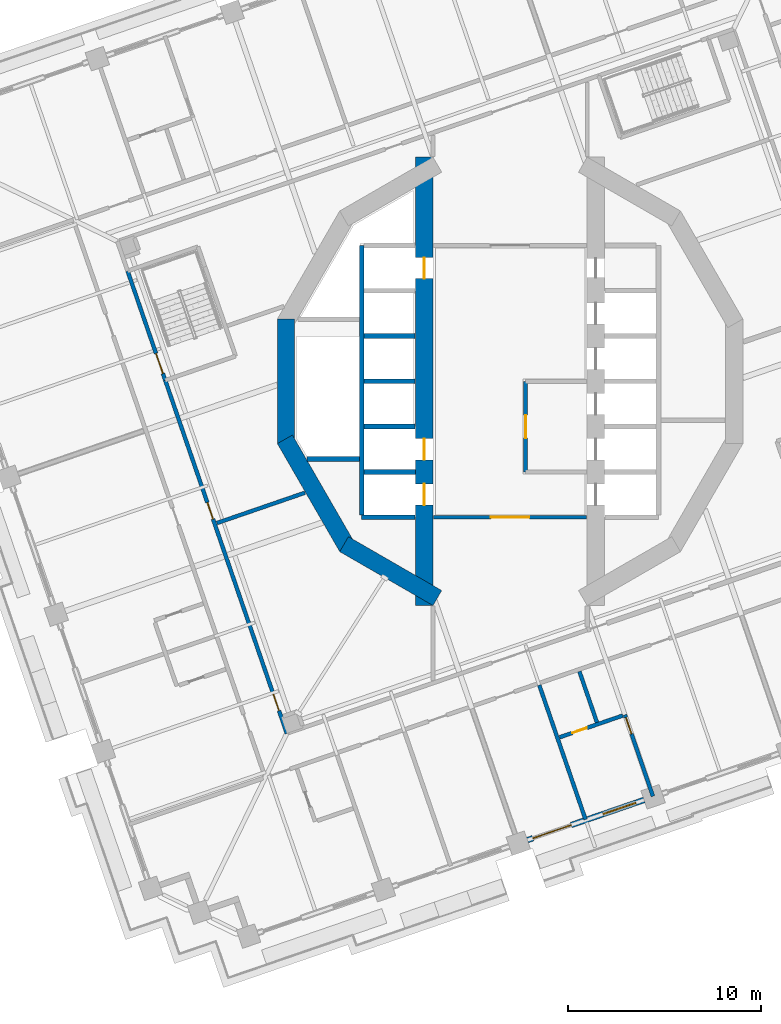
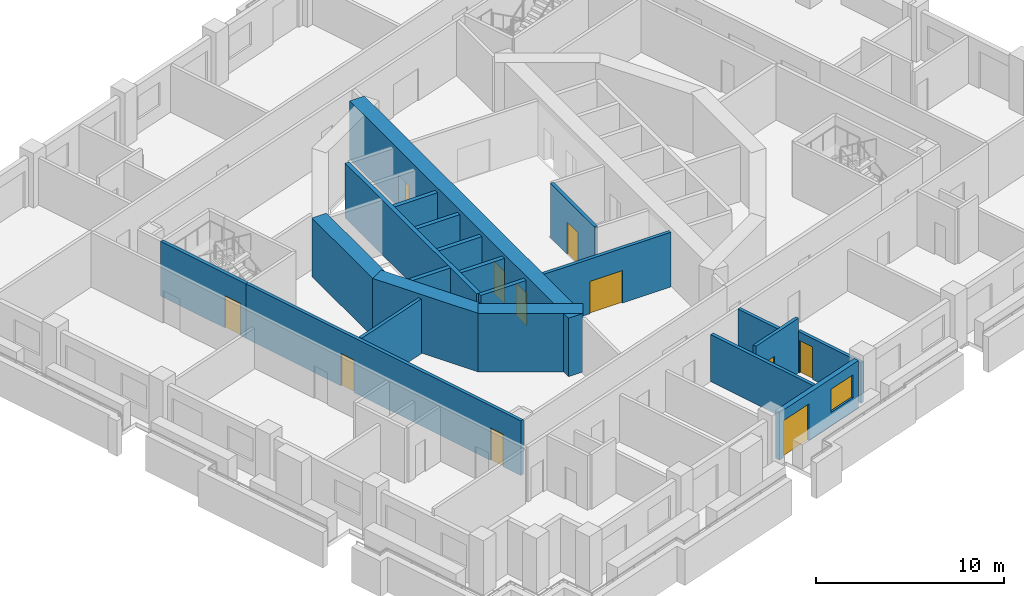
# One storey, part 5 of 19: 21 walls, 11 doors, 1 window, 12 openings.
"""IFC4 building model written with IfcOpenShell, lengths in metres."""

from ifc_helpers import new_model, si_unit, direction, frame, frame_2d, origin, place, context, subcontext, project, spatial, rectangle, extrude, material, layer, layer_set, type_object, element, fill, save


model = new_model("IFC4")

# Units and contexts
model_context = context("Model", 3, precision=1e-05, world=origin(), true_north=direction((0.0, 1.0)))
body_context = subcontext(model_context, "Body", "Model", "MODEL_VIEW")
ifc_project = project(units=[si_unit("LENGTHUNIT", "METRE"), si_unit("AREAUNIT", "SQUARE_METRE"), si_unit("VOLUMEUNIT", "CUBIC_METRE"), si_unit("PLANEANGLEUNIT", "RADIAN"), si_unit("MASSUNIT", "GRAM", prefix="KILO")], contexts=[model_context])

# Site, building, storey
site_placement = place(None, origin())
site = spatial("IfcSite", under=ifc_project, at=site_placement, CompositionType="ELEMENT")
building_placement = place(site_placement, origin())
building = spatial("IfcBuilding", under=site, at=building_placement, Name="Cantera Rosa Tower", CompositionType="ELEMENT")
storey_placement = place(building_placement, frame((0.0, 0.0, 123.10009765625)))
storey = spatial("IfcBuildingStorey", under=building, at=storey_placement, Name="L25", CompositionType="ELEMENT", Elevation=123.10009765625)

# Wall, openings, doors
ifc_material_1 = material(Name="Gypsum board partition")
ifc_layer_1 = layer(ifc_material_1, 0.199951171875)
ifc_layer_set_1 = layer_set([ifc_layer_1], Name="CORRIDOR WALL 200 H3550")
wall_type_1 = type_object("IfcWallType", Name="CORRIDOR WALL 200 H3550", PredefinedType="PARTITIONING", material=ifc_layer_set_1)
wall_1_placement = place(storey_placement, frame((-17.8916015625, 0.05126953125, 0.0), z_axis=(0.0, 0.0, 1.0), x_axis=(0.325580537834, -0.94551431157, 0.0)))
wall_1 = element("IfcWall", 1, at=wall_1_placement, inside=storey, type_object=wall_type_1, Name="CORRIDOR WALL L25-013", PredefinedType="PARTITIONING", context=body_context, shape_type="SweptSolid", body=[
    extrude(rectangle(XDim=19.37353515625, YDim=0.199951171875, at=frame_2d((9.686767578125, 0.0))), origin(), (0.0, 0.0, 1.0), 3.5498046875),
])
opening_1_placement = place(wall_1_placement, frame((6.7109375, 0.0, 0.0)))
opening_1 = element("IfcOpeningElement", 2, at=opening_1_placement, cuts=wall_1, Name="Opening L25-006", PredefinedType="OPENING", context=body_context, shape_type="SweptSolid", body=[
    extrude(rectangle(XDim=0.89990234375, YDim=2.10009765625, at=frame_2d((0.449951171875, 1.050048828125))), frame((0.0, 0.10986328125, 0.0), z_axis=(0.0, -1.0, 0.0), x_axis=(1.0, 0.0, 0.0)), (0.0, 0.0, 1.0), 0.219970703125),
])
opening_2_placement = place(wall_1_placement, frame((17.228515625, 0.0, 0.0)))
opening_2 = element("IfcOpeningElement", 3, at=opening_2_placement, cuts=wall_1, Name="Opening L25-007", PredefinedType="OPENING", context=body_context, shape_type="SweptSolid", body=[
    extrude(rectangle(XDim=0.89990234375, YDim=2.10009765625, at=frame_2d((0.449951171875, 1.050048828125))), frame((0.0, 0.10986328125, 0.0), z_axis=(0.0, -1.0, 0.0), x_axis=(1.0, 0.0, 0.0)), (0.0, 0.0, 1.0), 0.219970703125),
])
ifc_material_2 = material(Name="Timber door leaf", Category="wood")
door_type_1 = type_object("IfcDoorType", Name="SERVICE DOOR 900x2100", OperationType="NOTDEFINED", PredefinedType="DOOR", material=ifc_material_2)
door_1_placement = place(opening_1_placement, origin())
door_1 = element("IfcDoor", 4, at=door_1_placement, inside=storey, type_object=door_type_1, Name="DOOR L25-006", OperationType="NOTDEFINED", OverallHeight=2.10009765625, OverallWidth=0.89990234375, PredefinedType="DOOR", context=body_context, shape_type="SweptSolid", body=[
    extrude(rectangle(XDim=0.89990234375, YDim=2.10009765625, at=frame_2d((0.449951171875, 1.050048828125))), frame((0.0, 0.02490234375, 0.0), z_axis=(0.0, -1.0, 0.0), x_axis=(1.0, 0.0, 0.0)), (0.0, 0.0, 1.0), 0.050048828125),
])
fill(opening_1, door_1)
door_2_placement = place(opening_2_placement, origin())
door_2 = element("IfcDoor", 5, at=door_2_placement, inside=storey, type_object=door_type_1, Name="DOOR L25-007", OperationType="NOTDEFINED", OverallHeight=2.10009765625, OverallWidth=0.89990234375, PredefinedType="DOOR", context=body_context, shape_type="SweptSolid", body=[
    extrude(rectangle(XDim=0.89990234375, YDim=2.10009765625, at=frame_2d((0.449951171875, 1.050048828125))), frame((0.0, 0.02490234375, 0.0), z_axis=(0.0, -1.0, 0.0), x_axis=(1.0, 0.0, 0.0)), (0.0, 0.0, 1.0), 0.050048828125),
])
fill(opening_2, door_2)

# Wall, opening, door
wall_2_placement = place(storey_placement, frame((3.969970703125, -7.050048828125, 0.0), z_axis=(0.0, 0.0, 1.0), x_axis=(-1.0, 0.0, 0.0)))
wall_2 = element("IfcWall", 6, at=wall_2_placement, inside=storey, type_object=wall_type_1, Name="CORRIDOR WALL L25-052", PredefinedType="PARTITIONING", context=body_context, shape_type="SweptSolid", body=[
    extrude(rectangle(XDim=7.93994140625, YDim=0.199951171875, at=frame_2d((3.969970703125, 0.0))), origin(), (0.0, 0.0, 1.0), 3.5498046875),
])
opening_3_placement = place(wall_2_placement, frame((2.969970703125, 0.0, 0.0)))
opening_3 = element("IfcOpeningElement", 7, at=opening_3_placement, cuts=wall_2, Name="Opening L25-012", PredefinedType="OPENING", context=body_context, shape_type="SweptSolid", body=[
    extrude(rectangle(XDim=2.0, YDim=2.10009765625, at=frame_2d((1.0, 1.050048828125))), frame((0.0, 0.10986328125, 0.0), z_axis=(0.0, -1.0, 0.0), x_axis=(1.0, 0.0, 0.0)), (0.0, 0.0, 1.0), 0.219970703125),
])
ifc_material_3 = material(Name="Steel S355J2 (EN 10025-2)", Category="steel")
door_type_2 = type_object("IfcDoorType", Name="LOBBY SCREEN DOOR 2000x2100", OperationType="NOTDEFINED", PredefinedType="DOOR", material=ifc_material_3)
door_3_placement = place(opening_3_placement, origin())
door_3 = element("IfcDoor", 8, at=door_3_placement, inside=storey, type_object=door_type_2, Name="DOOR L25-012", OperationType="NOTDEFINED", OverallHeight=2.10009765625, OverallWidth=2.0, PredefinedType="DOOR", context=body_context, shape_type="SweptSolid", body=[
    extrude(rectangle(XDim=2.0, YDim=2.10009765625, at=frame_2d((1.0, 1.050048828125))), frame((0.0, 0.02490234375, 0.0), z_axis=(0.0, -1.0, 0.0), x_axis=(1.0, 0.0, 0.0)), (0.0, 0.0, 1.0), 0.050048828125),
])
fill(opening_3, door_3)

# Wall, openings, window, door
ifc_material_4 = material(Name="Hollow clay masonry with cantera stone cladding", Category="masonry")
ifc_layer_2 = layer(ifc_material_4, 0.300048828125)
ifc_layer_set_2 = layer_set([ifc_layer_2], Name="EW-LOGGIA 300 H3090")
wall_type_2 = type_object("IfcWallType", Name="EW-LOGGIA 300 H3090", PredefinedType="SOLIDWALL", material=ifc_layer_set_2)
wall_3_placement = place(storey_placement, frame((0.89892578125, -23.80419921875, 0.0), z_axis=(0.0, 0.0, 1.0), x_axis=(0.945524496524, 0.325550958337, 0.0)))
wall_3 = element("IfcWall", 9, at=wall_3_placement, inside=storey, type_object=wall_type_2, Name="EN-L25-W25", PredefinedType="SOLIDWALL", context=body_context, shape_type="SweptSolid", body=[
    extrude(rectangle(XDim=6.39990234375, YDim=0.300048828125, at=frame_2d((3.199951171875, 0.0))), origin(), (0.0, 0.0, 1.0), 3.08984375),
])
opening_4_placement = place(wall_3_placement, frame((0.300048828125, 0.0, 0.0)))
opening_4 = element("IfcOpeningElement", 10, at=opening_4_placement, cuts=wall_3, Name="Opening L25-TD33", PredefinedType="OPENING", context=body_context, shape_type="SweptSolid", body=[
    extrude(rectangle(XDim=2.10009765625, YDim=2.39990234375, at=frame_2d((1.050048828125, 1.199951171875))), frame((0.0, 0.159912109375, 0.0), z_axis=(0.0, -1.0, 0.0), x_axis=(1.0, 0.0, 0.0)), (0.0, 0.0, 1.0), 0.320068359375),
])
opening_5_placement = place(wall_3_placement, frame((4.14990234375, 0.0, 0.89990234375)))
opening_5 = element("IfcOpeningElement", 11, at=opening_5_placement, cuts=wall_3, Name="Opening L25-W34", PredefinedType="OPENING", context=body_context, shape_type="SweptSolid", body=[
    extrude(rectangle(XDim=1.800048828125, YDim=1.5, at=frame_2d((0.89990234375, 0.75))), frame((0.0, 0.159912109375, 0.0), z_axis=(0.0, -1.0, 0.0), x_axis=(1.0, 0.0, 0.0)), (0.0, 0.0, 1.0), 0.320068359375),
])
ifc_material_5 = material(Name="Aluminium frame with clear glass", Category="aluminium")
window_type = type_object("IfcWindowType", Name="Hotel room window 1800x1500", PartitioningType="DOUBLE_PANEL_VERTICAL", PredefinedType="WINDOW", material=ifc_material_5)
window_placement = place(opening_5_placement, origin())
window = element("IfcWindow", 12, at=window_placement, inside=storey, type_object=window_type, Name="WINDOW L25-W34", OverallHeight=1.5, OverallWidth=1.800048828125, PartitioningType="SINGLE_PANEL", PredefinedType="WINDOW", context=body_context, shape_type="SweptSolid", body=[
    extrude(rectangle(XDim=1.800048828125, YDim=1.5, at=frame_2d((0.89990234375, 0.75))), frame((0.0, 0.030029296875, 0.0), z_axis=(0.0, -1.0, 0.0), x_axis=(1.0, 0.0, 0.0)), (0.0, 0.0, 1.0), 0.06005859375),
])
fill(opening_5, window)
ifc_material_6 = material(Name="Aluminium frame with clear glass", Category="aluminium")
door_type_3 = type_object("IfcDoorType", Name="TD-H 2100x2400", OperationType="NOTDEFINED", PredefinedType="DOOR", material=ifc_material_6)
door_4_placement = place(opening_4_placement, origin())
door_4 = element("IfcDoor", 13, at=door_4_placement, inside=storey, type_object=door_type_3, Name="LOGGIA DOOR L25-TD33", OperationType="SLIDING_TO_LEFT", OverallHeight=2.39990234375, OverallWidth=2.10009765625, PredefinedType="DOOR", context=body_context, shape_type="SweptSolid", body=[
    extrude(rectangle(XDim=2.10009765625, YDim=2.39990234375, at=frame_2d((1.050048828125, 1.199951171875))), frame((0.0, 0.02490234375, 0.0), z_axis=(0.0, -1.0, 0.0), x_axis=(1.0, 0.0, 0.0)), (0.0, 0.0, 1.0), 0.050048828125),
])
fill(opening_4, door_4)

# Wall, opening, door
ifc_material_7 = material(Name="Gypsum board partition")
ifc_layer_3 = layer(ifc_material_7, 0.199951171875)
ifc_layer_set_3 = layer_set([ifc_layer_3], Name="PARTITION 200 H2650")
wall_type_3 = type_object("IfcWallType", Name="PARTITION 200 H2650", PredefinedType="PARTITIONING", material=ifc_layer_set_3)
wall_4_placement = place(storey_placement, frame((5.9580078125, -17.302978515625, 0.0), z_axis=(0.0, 0.0, 1.0), x_axis=(0.325519343344, -0.945535381204, 0.0)))
wall_4 = element("IfcWall", 14, at=wall_4_placement, inside=storey, type_object=wall_type_3, Name="PARTITION L25-062", PredefinedType="PARTITIONING", context=body_context, shape_type="SweptSolid", body=[
    extrude(rectangle(XDim=4.469970703125, YDim=0.199951171875, at=frame_2d((2.23486328125, 0.0))), origin(), (0.0, 0.0, 1.0), 2.64990234375),
])
opening_6_placement = place(wall_4_placement, frame((0.14990234375, 0.0, 0.0)))
opening_6 = element("IfcOpeningElement", 15, at=opening_6_placement, cuts=wall_4, Name="Opening L25-036", PredefinedType="OPENING", context=body_context, shape_type="SweptSolid", body=[
    extrude(rectangle(XDim=0.89990234375, YDim=2.10009765625, at=frame_2d((0.449951171875, 1.050048828125))), frame((0.0, 0.10986328125, 0.0), z_axis=(0.0, -1.0, 0.0), x_axis=(1.0, 0.0, 0.0)), (0.0, 0.0, 1.0), 0.219970703125),
])
ifc_material_8 = material(Name="Timber door leaf", Category="wood")
door_type_4 = type_object("IfcDoorType", Name="ROOM DOOR 900x2100", OperationType="NOTDEFINED", PredefinedType="DOOR", material=ifc_material_8)
door_5_placement = place(opening_6_placement, origin())
door_5 = element("IfcDoor", 16, at=door_5_placement, inside=storey, type_object=door_type_4, Name="DOOR L25-036", OperationType="NOTDEFINED", OverallHeight=2.10009765625, OverallWidth=0.89990234375, PredefinedType="DOOR", context=body_context, shape_type="SweptSolid", body=[
    extrude(rectangle(XDim=0.89990234375, YDim=2.10009765625, at=frame_2d((0.449951171875, 1.050048828125))), frame((0.0, 0.02490234375, 0.0), z_axis=(0.0, -1.0, 0.0), x_axis=(1.0, 0.0, 0.0)), (0.0, 0.0, 1.0), 0.050048828125),
])
fill(opening_6, door_5)

# Wall
ifc_material_9 = material(Name="Gypsum board partition")
ifc_layer_4 = layer(ifc_material_9, 0.199951171875)
ifc_layer_set_4 = layer_set([ifc_layer_4], Name="PARTITION 200 H3550")
wall_type_4 = type_object("IfcWallType", Name="PARTITION 200 H3550", PredefinedType="PARTITIONING", material=ifc_layer_set_4)
wall_5_placement = place(storey_placement, frame((-10.64013671875, -5.77880859375, 0.0), z_axis=(0.0, 0.0, 1.0), x_axis=(-0.945513394783, -0.325583200253, 0.0)))
element("IfcWall", 17, at=wall_5_placement, inside=storey, type_object=wall_type_4, Name="PARTITION L25-028", PredefinedType="PARTITIONING", context=body_context, shape_type="SweptSolid", body=[
    extrude(rectangle(XDim=4.838134765625, YDim=0.199951171875, at=frame_2d((2.4189453125, 0.0))), origin(), (0.0, 0.0, 1.0), 3.5498046875),
])

# Wall, opening, door
wall_6_placement = place(storey_placement, frame((2.572998046875, -18.468505859375, 0.0), z_axis=(0.0, 0.0, 1.0), x_axis=(0.945518358783, 0.325568784136, 0.0)))
wall_6 = element("IfcWall", 18, at=wall_6_placement, inside=storey, type_object=wall_type_4, Name="PARTITION L25-050", PredefinedType="PARTITIONING", context=body_context, shape_type="SweptSolid", body=[
    extrude(rectangle(XDim=3.4599609375, YDim=0.199951171875, at=frame_2d((1.72998046875, 0.0))), origin(), (0.0, 0.0, 1.0), 3.5498046875),
])
opening_7_placement = place(wall_6_placement, frame((0.68994140625, 0.0, 0.0)))
opening_7 = element("IfcOpeningElement", 19, at=opening_7_placement, cuts=wall_6, Name="Opening L25-037", PredefinedType="OPENING", context=body_context, shape_type="SweptSolid", body=[
    extrude(rectangle(XDim=0.800048828125, YDim=2.10009765625, at=frame_2d((0.39990234375, 1.050048828125))), frame((0.0, 0.10986328125, 0.0), z_axis=(0.0, -1.0, 0.0), x_axis=(1.0, 0.0, 0.0)), (0.0, 0.0, 1.0), 0.219970703125),
])
ifc_material_10 = material(Name="Timber door leaf", Category="wood")
door_type_5 = type_object("IfcDoorType", Name="BATHROOM DOOR 800x2100", OperationType="NOTDEFINED", PredefinedType="DOOR", material=ifc_material_10)
door_6_placement = place(opening_7_placement, origin())
door_6 = element("IfcDoor", 20, at=door_6_placement, inside=storey, type_object=door_type_5, Name="DOOR L25-037", OperationType="NOTDEFINED", OverallHeight=2.10009765625, OverallWidth=0.800048828125, PredefinedType="DOOR", context=body_context, shape_type="SweptSolid", body=[
    extrude(rectangle(XDim=0.800048828125, YDim=2.10009765625, at=frame_2d((0.39990234375, 1.050048828125))), frame((0.0, 0.02490234375, 0.0), z_axis=(0.0, -1.0, 0.0), x_axis=(1.0, 0.0, 0.0)), (0.0, 0.0, 1.0), 0.050048828125),
])
fill(opening_7, door_6)

# Walls
wall_7_placement = place(storey_placement, frame((3.595458984375, -15.04931640625, 0.0), z_axis=(0.0, 0.0, 1.0), x_axis=(0.325576835135, -0.945515586558, 0.0)))
element("IfcWall", 21, at=wall_7_placement, inside=storey, type_object=wall_type_4, Name="PARTITION L25-051", PredefinedType="PARTITIONING", context=body_context, shape_type="SweptSolid", body=[
    extrude(rectangle(XDim=2.800048828125, YDim=0.199951171875, at=frame_2d((1.39990234375, 0.0))), origin(), (0.0, 0.0, 1.0), 3.5498046875),
])
ifc_material_11 = material(Name="Gypsum board partition")
ifc_layer_5 = layer(ifc_material_11, 0.199951171875)
ifc_layer_set_5 = layer_set([ifc_layer_5], Name="PARTY WALL 200 H3050")
wall_type_5 = type_object("IfcWallType", Name="PARTY WALL 200 H3050", PredefinedType="PARTITIONING", material=ifc_layer_set_5)
wall_8_placement = place(storey_placement, frame((1.515380859375, -15.765625, 0.0), z_axis=(0.0, 0.0, 1.0), x_axis=(0.325563917555, -0.945520034471, 0.0)))
element("IfcWall", 22, at=wall_8_placement, inside=storey, type_object=wall_type_5, Name="PARTY WALL L25-048", PredefinedType="PARTITIONING", context=body_context, shape_type="SweptSolid", body=[
    extrude(rectangle(XDim=7.3701171875, YDim=0.199951171875, at=frame_2d((3.68505859375, 0.0))), origin(), (0.0, 0.0, 1.0), 3.0498046875),
])
ifc_material_12 = material(Name="Concrete C70/85", Category="concrete")
ifc_layer_6 = layer(ifc_material_12, 0.89990234375)
ifc_layer_set_6 = layer_set([ifc_layer_6], Name="RC CORE WALL 900 C70/85")
wall_type_6 = type_object("IfcWallType", Name="RC CORE WALL 900 C70/85", PredefinedType="SHEAR", material=ifc_layer_set_6)
wall_9_placement = place(storey_placement, frame((-3.77490234375, -11.242919921875, 0.0), z_axis=(0.0, 0.0, 1.0), x_axis=(-0.866026961591, 0.49999730179, 0.0)))
element("IfcWall", 23, at=wall_9_placement, inside=storey, type_object=wall_type_6, Name="CW-W1 L25", PredefinedType="SHEAR", context=body_context, shape_type="SweptSolid", body=[
    extrude(rectangle(XDim=5.58740234375, YDim=0.89990234375, at=frame_2d((2.793701171875, 0.0))), origin(), (0.0, 0.0, 1.0), 3.7998046875),
])
wall_10_placement = place(storey_placement, frame((-8.44921875, -8.61376953125, 0.0), z_axis=(0.0, 0.0, 1.0), x_axis=(-0.499990282633, 0.866031014036, 0.0)))
element("IfcWall", 24, at=wall_10_placement, inside=storey, type_object=wall_type_6, Name="CW-W2 L25", PredefinedType="SHEAR", context=body_context, shape_type="SweptSolid", body=[
    extrude(rectangle(XDim=6.470458984375, YDim=0.89990234375, at=frame_2d((3.2353515625, 0.0))), origin(), (0.0, 0.0, 1.0), 3.7998046875),
])
wall_11_placement = place(storey_placement, frame((-11.6240234375, -3.2353515625, 0.0), z_axis=(0.0, 0.0, 1.0), x_axis=(0.0, 1.0, 0.0)))
element("IfcWall", 25, at=wall_11_placement, inside=storey, type_object=wall_type_6, Name="CW-W3 L25", PredefinedType="SHEAR", context=body_context, shape_type="SweptSolid", body=[
    extrude(rectangle(XDim=6.470703125, YDim=0.89990234375, at=frame_2d((3.2353515625, 0.0))), origin(), (0.0, 0.0, 1.0), 3.7998046875),
])

# Wall, openings, doors
wall_12_placement = place(storey_placement, frame((-4.449951171875, 11.632568359375, 0.0), z_axis=(0.0, 0.0, 1.0), x_axis=(0.0, -1.0, 0.0)))
wall_12 = element("IfcWall", 26, at=wall_12_placement, inside=storey, type_object=wall_type_6, Name="CW-W6 L25", PredefinedType="SHEAR", context=body_context, shape_type="SweptSolid", body=[
    extrude(rectangle(XDim=23.26513671875, YDim=0.89990234375, at=frame_2d((11.632568359375, 0.0))), origin(), (0.0, 0.0, 1.0), 3.7998046875),
])
opening_8_placement = place(wall_12_placement, frame((14.607421875, 0.0, 0.0)))
opening_8 = element("IfcOpeningElement", 27, at=opening_8_placement, cuts=wall_12, Name="Opening LD-P3-L25", PredefinedType="OPENING", context=body_context, shape_type="SweptSolid", body=[
    extrude(rectangle(XDim=1.10009765625, YDim=2.10009765625, at=frame_2d((0.550048828125, 1.050048828125))), frame((0.0, 0.4599609375, 0.0), z_axis=(0.0, -1.0, 0.0), x_axis=(1.0, 0.0, 0.0)), (0.0, 0.0, 1.0), 0.919921875),
])
opening_9_placement = place(wall_12_placement, frame((16.95751953125, 0.0, 0.0)))
opening_9 = element("IfcOpeningElement", 28, at=opening_9_placement, cuts=wall_12, Name="Opening LD-P4-L25", PredefinedType="OPENING", context=body_context, shape_type="SweptSolid", body=[
    extrude(rectangle(XDim=1.10009765625, YDim=2.10009765625, at=frame_2d((0.550048828125, 1.050048828125))), frame((0.0, 0.4599609375, 0.0), z_axis=(0.0, -1.0, 0.0), x_axis=(1.0, 0.0, 0.0)), (0.0, 0.0, 1.0), 0.919921875),
])
opening_10_placement = place(wall_12_placement, frame((5.20751953125, 0.0, 0.0)))
opening_10 = element("IfcOpeningElement", 29, at=opening_10_placement, cuts=wall_12, Name="Opening LD-P5-L25", PredefinedType="OPENING", context=body_context, shape_type="SweptSolid", body=[
    extrude(rectangle(XDim=1.10009765625, YDim=2.10009765625, at=frame_2d((0.550048828125, 1.050048828125))), frame((0.0, 0.4599609375, 0.0), z_axis=(0.0, -1.0, 0.0), x_axis=(1.0, 0.0, 0.0)), (0.0, 0.0, 1.0), 0.919921875),
])
ifc_material_13 = material(Name="Steel S355J2 (EN 10025-2)", Category="steel")
door_type_6 = type_object("IfcDoorType", Name="LANDING DOOR 1100x2100", OperationType="NOTDEFINED", PredefinedType="DOOR", material=ifc_material_13)
door_7_placement = place(opening_8_placement, origin())
door_7 = element("IfcDoor", 30, at=door_7_placement, inside=storey, type_object=door_type_6, Name="LANDING DOOR P3 L25", OperationType="SLIDING_TO_LEFT", OverallHeight=2.10009765625, OverallWidth=1.10009765625, PredefinedType="DOOR", context=body_context, shape_type="SweptSolid", body=[
    extrude(rectangle(XDim=1.10009765625, YDim=2.10009765625, at=frame_2d((0.550048828125, 1.050048828125))), frame((0.0, 0.02490234375, 0.0), z_axis=(0.0, -1.0, 0.0), x_axis=(1.0, 0.0, 0.0)), (0.0, 0.0, 1.0), 0.050048828125),
])
fill(opening_8, door_7)
door_8_placement = place(opening_9_placement, origin())
door_8 = element("IfcDoor", 31, at=door_8_placement, inside=storey, type_object=door_type_6, Name="LANDING DOOR P4 L25", OperationType="SLIDING_TO_LEFT", OverallHeight=2.10009765625, OverallWidth=1.10009765625, PredefinedType="DOOR", context=body_context, shape_type="SweptSolid", body=[
    extrude(rectangle(XDim=1.10009765625, YDim=2.10009765625, at=frame_2d((0.550048828125, 1.050048828125))), frame((0.0, 0.02490234375, 0.0), z_axis=(0.0, -1.0, 0.0), x_axis=(1.0, 0.0, 0.0)), (0.0, 0.0, 1.0), 0.050048828125),
])
fill(opening_9, door_8)
door_9_placement = place(opening_10_placement, origin())
door_9 = element("IfcDoor", 32, at=door_9_placement, inside=storey, type_object=door_type_6, Name="LANDING DOOR P5 L25", OperationType="SLIDING_TO_LEFT", OverallHeight=2.10009765625, OverallWidth=1.10009765625, PredefinedType="DOOR", context=body_context, shape_type="SweptSolid", body=[
    extrude(rectangle(XDim=1.10009765625, YDim=2.10009765625, at=frame_2d((0.550048828125, 1.050048828125))), frame((0.0, 0.02490234375, 0.0), z_axis=(0.0, -1.0, 0.0), x_axis=(1.0, 0.0, 0.0)), (0.0, 0.0, 1.0), 0.050048828125),
])
fill(opening_10, door_9)

# Walls
ifc_material_14 = material(Name="Masonry blockwork", Category="masonry")
ifc_layer_7 = layer(ifc_material_14, 0.25)
ifc_layer_set_7 = layer_set([ifc_layer_7], Name="SHAFT WALL 250 H3550")
wall_type_7 = type_object("IfcWallType", Name="SHAFT WALL 250 H3550", PredefinedType="SOLIDWALL", material=ifc_layer_set_7)
wall_13_placement = place(storey_placement, frame((-10.54150390625, -4.029541015625, 0.0), z_axis=(0.0, 0.0, 1.0), x_axis=(1.0, 0.0, 0.0)))
element("IfcWall", 33, at=wall_13_placement, inside=storey, type_object=wall_type_7, Name="SHAFT WALL L25-029", PredefinedType="SOLIDWALL", context=body_context, shape_type="SweptSolid", body=[
    extrude(rectangle(XDim=2.716552734375, YDim=0.25, at=frame_2d((1.3583984375, 0.0))), origin(), (0.0, 0.0, 1.0), 3.5498046875),
])
wall_14_placement = place(storey_placement, frame((-7.699951171875, -7.050048828125, 0.0), z_axis=(0.0, 0.0, 1.0), x_axis=(1.0, 0.0, 0.0)))
element("IfcWall", 34, at=wall_14_placement, inside=storey, type_object=wall_type_7, Name="SHAFT WALL L25-032", PredefinedType="SOLIDWALL", context=body_context, shape_type="SweptSolid", body=[
    extrude(rectangle(XDim=2.77001953125, YDim=0.25, at=frame_2d((1.385009765625, 0.0))), origin(), (0.0, 0.0, 1.0), 3.5498046875),
])
wall_15_placement = place(storey_placement, frame((-7.574951171875, -4.699951171875, 0.0), z_axis=(0.0, 0.0, 1.0), x_axis=(1.0, 0.0, 0.0)))
element("IfcWall", 35, at=wall_15_placement, inside=storey, type_object=wall_type_7, Name="SHAFT WALL L25-033", PredefinedType="SOLIDWALL", context=body_context, shape_type="SweptSolid", body=[
    extrude(rectangle(XDim=2.675048828125, YDim=0.25, at=frame_2d((1.33740234375, 0.0))), origin(), (0.0, 0.0, 1.0), 3.5498046875),
])
for number, where, z_axis, x_axis, name in (
    (36, (-7.574951171875, -2.35009765625, 0.0), (0.0, 0.0, 1.0), (1.0, 0.0, 0.0), "SHAFT WALL L25-034"),
    (37, (-7.574951171875, 0.0, 0.0), (0.0, 0.0, 1.0), (1.0, 0.0, 0.0), "SHAFT WALL L25-035"),
    (38, (-7.574951171875, 2.35009765625, 0.0), (0.0, 0.0, 1.0), (1.0, 0.0, 0.0), "SHAFT WALL L25-036"),
):
    element("IfcWall", number, at=place(storey_placement, frame(where, z_axis=z_axis, x_axis=x_axis)), inside=storey, type_object=wall_type_7, Name=name, PredefinedType="SOLIDWALL", context=body_context, shape_type="SweptSolid", body=[
        extrude(rectangle(XDim=2.64501953125, YDim=0.25, at=frame_2d((1.322509765625, 0.0))), origin(), (0.0, 0.0, 1.0), 3.5498046875),
    ])
wall_16_placement = place(storey_placement, frame((-7.699951171875, 7.050048828125, 0.0), z_axis=(0.0, 0.0, 1.0), x_axis=(0.0, -1.0, 0.0)))
element("IfcWall", 39, at=wall_16_placement, inside=storey, type_object=wall_type_7, Name="SHAFT WALL L25-038", PredefinedType="SOLIDWALL", context=body_context, shape_type="SweptSolid", body=[
    extrude(rectangle(XDim=13.97998046875, YDim=0.25, at=frame_2d((6.989990234375, 0.0))), origin(), (0.0, 0.0, 1.0), 3.5498046875),
])

# Wall, opening, door
ifc_material_15 = material(Name="Concrete C50/60", Category="concrete")
ifc_layer_8 = layer(ifc_material_15, 0.199951171875)
ifc_layer_set_8 = layer_set([ifc_layer_8], Name="STAIR WALL 200 H3550")
wall_type_8 = type_object("IfcWallType", Name="STAIR WALL 200 H3550", PredefinedType="SOLIDWALL", material=ifc_layer_set_8)
wall_17_placement = place(storey_placement, frame((-19.844970703125, 5.724365234375, 0.0), z_axis=(0.0, 0.0, 1.0), x_axis=(0.325563034341, -0.945520338581, 0.0)))
wall_17 = element("IfcWall", 40, at=wall_17_placement, inside=storey, type_object=wall_type_8, Name="STAIR WALL L25-005", PredefinedType="SOLIDWALL", context=body_context, shape_type="SweptSolid", body=[
    extrude(rectangle(XDim=6.0, YDim=0.199951171875, at=frame_2d((3.0, 0.0))), origin(), (0.0, 0.0, 1.0), 3.5498046875),
])
opening_11_placement = place(wall_17_placement, frame((4.52490234375, 0.0, 0.0)))
opening_11 = element("IfcOpeningElement", 41, at=opening_11_placement, cuts=wall_17, Name="Opening L25-002", PredefinedType="OPENING", context=body_context, shape_type="SweptSolid", body=[
    extrude(rectangle(XDim=1.10009765625, YDim=2.10009765625, at=frame_2d((0.550048828125, 1.050048828125))), frame((0.0, 0.10986328125, 0.0), z_axis=(0.0, -1.0, 0.0), x_axis=(1.0, 0.0, 0.0)), (0.0, 0.0, 1.0), 0.219970703125),
])
ifc_material_16 = material(Name="Steel S355J2 (EN 10025-2)", Category="steel")
door_type_7 = type_object("IfcDoorType", Name="STAIR DOOR 1100x2100", OperationType="NOTDEFINED", PredefinedType="DOOR", material=ifc_material_16)
door_10_placement = place(opening_11_placement, origin())
door_10 = element("IfcDoor", 42, at=door_10_placement, inside=storey, type_object=door_type_7, Name="DOOR L25-002", OperationType="NOTDEFINED", OverallHeight=2.10009765625, OverallWidth=1.10009765625, PredefinedType="DOOR", context=body_context, shape_type="SweptSolid", body=[
    extrude(rectangle(XDim=1.10009765625, YDim=2.10009765625, at=frame_2d((0.550048828125, 1.050048828125))), frame((0.0, 0.02490234375, 0.0), z_axis=(0.0, -1.0, 0.0), x_axis=(1.0, 0.0, 0.0)), (0.0, 0.0, 1.0), 0.050048828125),
])
fill(opening_11, door_10)

wall_18_placement = place(storey_placement, frame((0.800048828125, -4.699951171875, 0.0), z_axis=(0.0, 0.0, 1.0), x_axis=(0.0, 1.0, 0.0)))
wall_18 = element("IfcWall", 43, at=wall_18_placement, inside=storey, type_object=wall_type_8, Name="STAIR WALL L25-046", PredefinedType="SOLIDWALL", context=body_context, shape_type="SweptSolid", body=[
    extrude(rectangle(XDim=4.699951171875, YDim=0.199951171875, at=frame_2d((2.35009765625, 0.0))), origin(), (0.0, 0.0, 1.0), 3.5498046875),
])
opening_12_placement = place(wall_18_placement, frame((1.75, 0.0, 0.0)))
opening_12 = element("IfcOpeningElement", 44, at=opening_12_placement, cuts=wall_18, Name="Opening L25-013", PredefinedType="OPENING", context=body_context, shape_type="SweptSolid", body=[
    extrude(rectangle(XDim=1.199951171875, YDim=2.10009765625, at=frame_2d((0.60009765625, 1.050048828125))), frame((0.0, 0.10986328125, 0.0), z_axis=(0.0, -1.0, 0.0), x_axis=(1.0, 0.0, 0.0)), (0.0, 0.0, 1.0), 0.219970703125),
])
ifc_material_17 = material(Name="Steel S355J2 (EN 10025-2)", Category="steel")
door_type_8 = type_object("IfcDoorType", Name="FIRE DOOR 1200x2100", OperationType="NOTDEFINED", PredefinedType="DOOR", material=ifc_material_17)
door_11_placement = place(opening_12_placement, origin())
door_11 = element("IfcDoor", 45, at=door_11_placement, inside=storey, type_object=door_type_8, Name="DOOR L25-013", OperationType="NOTDEFINED", OverallHeight=2.10009765625, OverallWidth=1.199951171875, PredefinedType="DOOR", context=body_context, shape_type="SweptSolid", body=[
    extrude(rectangle(XDim=1.199951171875, YDim=2.10009765625, at=frame_2d((0.60009765625, 1.050048828125))), frame((0.0, 0.02490234375, 0.0), z_axis=(0.0, -1.0, 0.0), x_axis=(1.0, 0.0, 0.0)), (0.0, 0.0, 1.0), 0.050048828125),
])
fill(opening_12, door_11)

save(model, "model.ifc")
